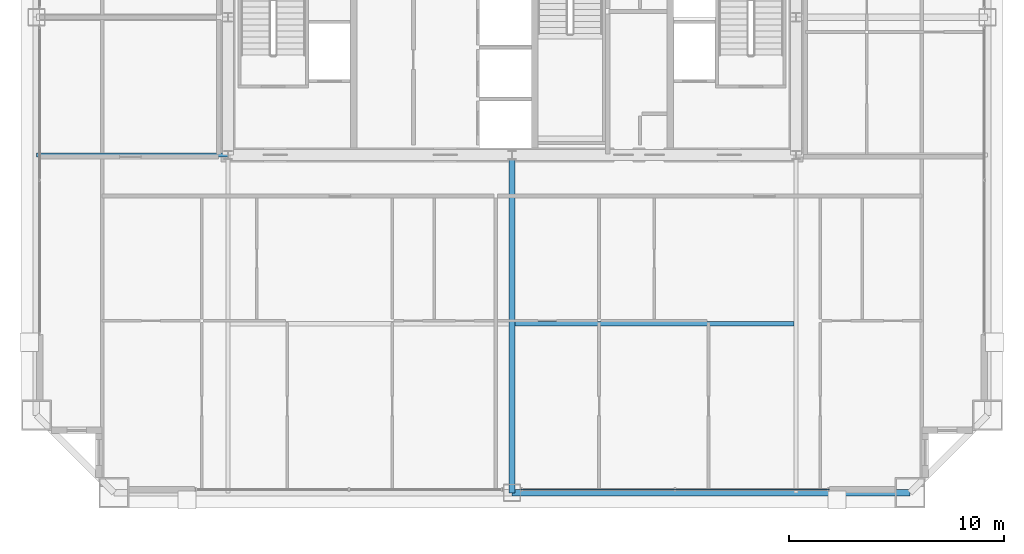
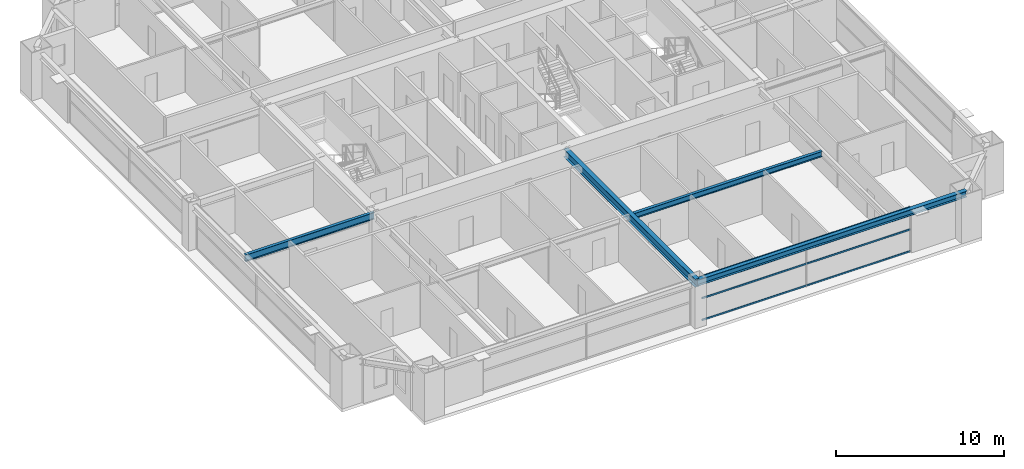
# One storey, part 11 of 38: 4 beams, 3 members, 1 element without a shape of its own.
"""IFC4 building model written with IfcOpenShell, lengths in metres."""

from ifc_helpers import new_model, si_unit, direction, frame, origin, origin_2d, place, context, subcontext, project, spatial, hollow_rectangle, i_section, extrude, source, transform, mapped, material, layer, layer_set, material_profile, profile_set, type_object, element, aggregate, save


model = new_model("IFC4")

# Units and contexts
model_context = context("Model", 3, precision=1e-05, world=origin(), true_north=direction((0.0, 1.0)))
body_context = subcontext(model_context, "Body", "Model", "MODEL_VIEW")
ifc_project = project(units=[si_unit("LENGTHUNIT", "METRE"), si_unit("AREAUNIT", "SQUARE_METRE"), si_unit("VOLUMEUNIT", "CUBIC_METRE"), si_unit("PLANEANGLEUNIT", "RADIAN"), si_unit("MASSUNIT", "GRAM", prefix="KILO"), si_unit("THERMODYNAMICTEMPERATUREUNIT", "KELVIN"), si_unit("POWERUNIT", "WATT")], contexts=[model_context])

# Site, building, storey
site_placement = place(None, origin())
site = spatial("IfcSite", under=ifc_project, at=site_placement, CompositionType="ELEMENT")
building_placement = place(site_placement, origin())
building = spatial("IfcBuilding", under=site, at=building_placement, Name="Yuzanri Waterfront Tower", CompositionType="ELEMENT")
storey_placement = place(building_placement, frame((0.0, 0.0, 195.0)))
storey = spatial("IfcBuildingStorey", under=building, at=storey_placement, Name="L51", CompositionType="ELEMENT", Elevation=195.0)

# Beams
ifc_material_1 = material(Name="Steel Q355B", Category="steel")
ifc_material_profile_1 = material_profile(ifc_material_1, i_section(OverallWidth=0.199951171875, OverallDepth=0.39990234375, WebThickness=0.008056640625, FlangeThickness=0.012939453125, at=origin_2d()), Name="HN 400x200x8x13")
ifc_profile_set_1 = profile_set([ifc_material_profile_1], Name="Steel Q355B")
beam_type_1 = type_object("IfcBeamType", Name="Floor Joist Q355B HN 400x200", PredefinedType="JOIST", material=ifc_profile_set_1)
shared_shape_1 = source(origin(), body_context, "Body", "SweptSolid", [
    extrude(i_section(OverallWidth=0.199951171875, OverallDepth=0.39990234375, WebThickness=0.008056640625, FlangeThickness=0.012939453125, at=origin_2d()), origin(), (0.0, 0.0, 1.0), 12.9501953125),
])
beam_1_placement = place(storey_placement, frame((37.14990234375, 11.550048828125, 3.080078125), z_axis=(1.0, 0.0, 0.0), x_axis=(0.0, 1.0, 0.0)))
element("IfcBeam", 1, at=beam_1_placement, inside=storey, type_object=beam_type_1, Name="L51 South Bay Joist E", PredefinedType="JOIST", context=body_context, shape_type="MappedRepresentation", body=[
    mapped(shared_shape_1, transform((0.0, 0.0, 0.0), scale=1.0)),
])
ifc_material_2 = material(Name="Steel Q355B", Category="steel")
ifc_material_profile_2 = material_profile(ifc_material_2, i_section(OverallWidth=0.300048828125, OverallDepth=0.43994140625, WebThickness=0.010986328125, FlangeThickness=0.01806640625, at=origin_2d()), Name="HM 440x300x11x18")
ifc_profile_set_2 = profile_set([ifc_material_profile_2], Name="Steel Q355B")
beam_type_2 = type_object("IfcBeamType", Name="Perimeter Spandrel Q355B HM 440x300", PredefinedType="SPANDREL", material=ifc_profile_set_2)
shared_shape_2 = source(origin(), body_context, "Body", "SweptSolid", [
    extrude(i_section(OverallWidth=0.300048828125, OverallDepth=0.43994140625, WebThickness=0.010986328125, FlangeThickness=0.01806640625, at=origin_2d()), origin(), (0.0, 0.0, 1.0), 18.5),
])
beam_2_placement = place(storey_placement, frame((37.0, 3.699951171875, 3.06005859375), z_axis=(1.0, 0.0, 0.0), x_axis=(0.0, 1.0, 0.0)))
element("IfcBeam", 2, at=beam_2_placement, inside=storey, type_object=beam_type_2, Name="L51 Perimeter Spandrel S2-S3", PredefinedType="SPANDREL", context=body_context, shape_type="MappedRepresentation", body=[
    mapped(shared_shape_2, transform((0.0, 0.0, 0.0), scale=1.0)),
])
ifc_material_3 = material(Name="Steel Q355B", Category="steel")
ifc_material_profile_3 = material_profile(ifc_material_3, i_section(OverallWidth=0.300048828125, OverallDepth=0.587890625, WebThickness=0.011962890625, FlangeThickness=0.02001953125, at=origin_2d()), Name="HM 588x300x12x20")
ifc_profile_set_3 = profile_set([ifc_material_profile_3], Name="Steel Q355B")
beam_type_3 = type_object("IfcBeamType", Name="Primary Floor Girder Q355B HM 588x300", PredefinedType="BEAM", material=ifc_profile_set_3)
shared_shape_3 = source(origin(), body_context, "Body", "SweptSolid", [
    extrude(i_section(OverallWidth=0.300048828125, OverallDepth=0.587890625, WebThickness=0.011962890625, FlangeThickness=0.02001953125, at=origin_2d()), origin(), (0.0, 0.0, 1.0), 15.699951171875),
])
beam_3_placement = place(storey_placement, frame((37.0, 19.39990234375, 2.986083984375), z_axis=(0.0, -1.0, 0.0), x_axis=(1.0, 0.0, 0.0)))
element("IfcBeam", 3, at=beam_3_placement, inside=storey, type_object=beam_type_3, Name="L51 South Grid Girder", PredefinedType="BEAM", context=body_context, shape_type="MappedRepresentation", body=[
    mapped(shared_shape_3, transform((0.0, 0.0, 0.0), scale=1.0)),
])
ifc_material_4 = material(Name="Steel Q355B", Category="steel")
ifc_material_profile_4 = material_profile(ifc_material_4, i_section(OverallWidth=0.199951171875, OverallDepth=0.5, WebThickness=0.010009765625, FlangeThickness=0.01611328125, at=origin_2d()), Name="HN 500x200x10x16")
ifc_profile_set_4 = profile_set([ifc_material_profile_4], Name="Steel Q355B")
beam_type_4 = type_object("IfcBeamType", Name="Secondary Floor Beam Q355B HN 500x200", PredefinedType="BEAM", material=ifc_profile_set_4)
shared_shape_4 = source(origin(), body_context, "Body", "SweptSolid", [
    extrude(i_section(OverallWidth=0.199951171875, OverallDepth=0.5, WebThickness=0.010009765625, FlangeThickness=0.01611328125, at=origin_2d()), origin(), (0.0, 0.0, 1.0), 8.900146484375),
])
beam_4_placement = place(storey_placement, frame((23.800048828125, 19.39990234375, 3.030029296875), z_axis=(-1.0, 0.0, 0.0), x_axis=(0.0, -1.0, 0.0)))
element("IfcBeam", 4, at=beam_4_placement, inside=storey, type_object=beam_type_4, Name="L51 West-South Core Line Beam", PredefinedType="BEAM", context=body_context, shape_type="MappedRepresentation", body=[
    mapped(shared_shape_4, transform((0.0, 0.0, 0.0), scale=1.0)),
])

# Curtain wall, members
ifc_material_5 = material(Name="Anodized Architectural Bronze", Category="metal")
ifc_layer = layer(ifc_material_5, 0.159912109375)
ifc_layer_set = layer_set([ifc_layer], Name="Anodized Architectural Bronze")
curtain_wall_type = type_object("IfcCurtainWallType", Name="Anodized Bronze Mid-Rise Residential Acoustic Unitized Curtain Wall 7200", PredefinedType="NOTDEFINED", material=ifc_layer_set)
curtain_wall_placement = place(storey_placement, origin())
curtain_wall = element("IfcCurtainWall", 5, at=curtain_wall_placement, inside=storey, type_object=curtain_wall_type, Name="L51 Curtain Wall CW-L51-SR", PredefinedType="NOTDEFINED")
ifc_material_6 = material(Name="Anodized Architectural Bronze", Category="metal")
ifc_material_profile_5 = material_profile(ifc_material_6, hollow_rectangle(XDim=0.06494140625, YDim=0.1201171875, WallThickness=0.00341796875, at=origin_2d()), Name="CWT 65x120")
ifc_profile_set_5 = profile_set([ifc_material_profile_5], Name="Anodized Architectural Bronze")
member_type = type_object("IfcMemberType", Name="Anodized Bronze Secondary Curtain-Wall Transom 65x120", PredefinedType="USERDEFINED", material=ifc_profile_set_5)
shared_shape_5 = source(origin(), body_context, "Body", "SweptSolid", [
    extrude(hollow_rectangle(XDim=0.06494140625, YDim=0.1201171875, WallThickness=0.00341796875, at=origin_2d()), origin(), (0.0, 0.0, 1.0), 14.35009765625),
])
member_1_placement = place(storey_placement, frame((37.39990234375, 3.85009765625, 0.050048828125), z_axis=(1.0, 0.0, 0.0), x_axis=(0.0, 1.0, 0.0)))
member_1 = element("IfcMember", 6, at=member_1_placement, type_object=member_type, Name="CW-L51-SR Transom 1", ObjectType="TRANSOM", PredefinedType="USERDEFINED", context=body_context, shape_type="MappedRepresentation", body=[
    mapped(shared_shape_5, transform((0.0, 0.0, 0.0), scale=1.0)),
])
member_2_placement = place(storey_placement, frame((37.39990234375, 3.85009765625, 1.639892578125), z_axis=(1.0, 0.0, 0.0), x_axis=(0.0, 1.0, 0.0)))
member_2 = element("IfcMember", 7, at=member_2_placement, type_object=member_type, Name="CW-L51-SR Transom 2", ObjectType="TRANSOM", PredefinedType="USERDEFINED", context=body_context, shape_type="MappedRepresentation", body=[
    mapped(shared_shape_5, transform((0.0, 0.0, 0.0), scale=1.0)),
])
member_3_placement = place(storey_placement, frame((37.39990234375, 3.85009765625, 3.22998046875), z_axis=(1.0, 0.0, 0.0), x_axis=(0.0, 1.0, 0.0)))
member_3 = element("IfcMember", 8, at=member_3_placement, type_object=member_type, Name="CW-L51-SR Transom 3", ObjectType="TRANSOM", PredefinedType="USERDEFINED", context=body_context, shape_type="MappedRepresentation", body=[
    mapped(shared_shape_5, transform((0.0, 0.0, 0.0), scale=1.0)),
])
aggregate(curtain_wall, [member_1, member_2, member_3])

save(model, "model.ifc")
